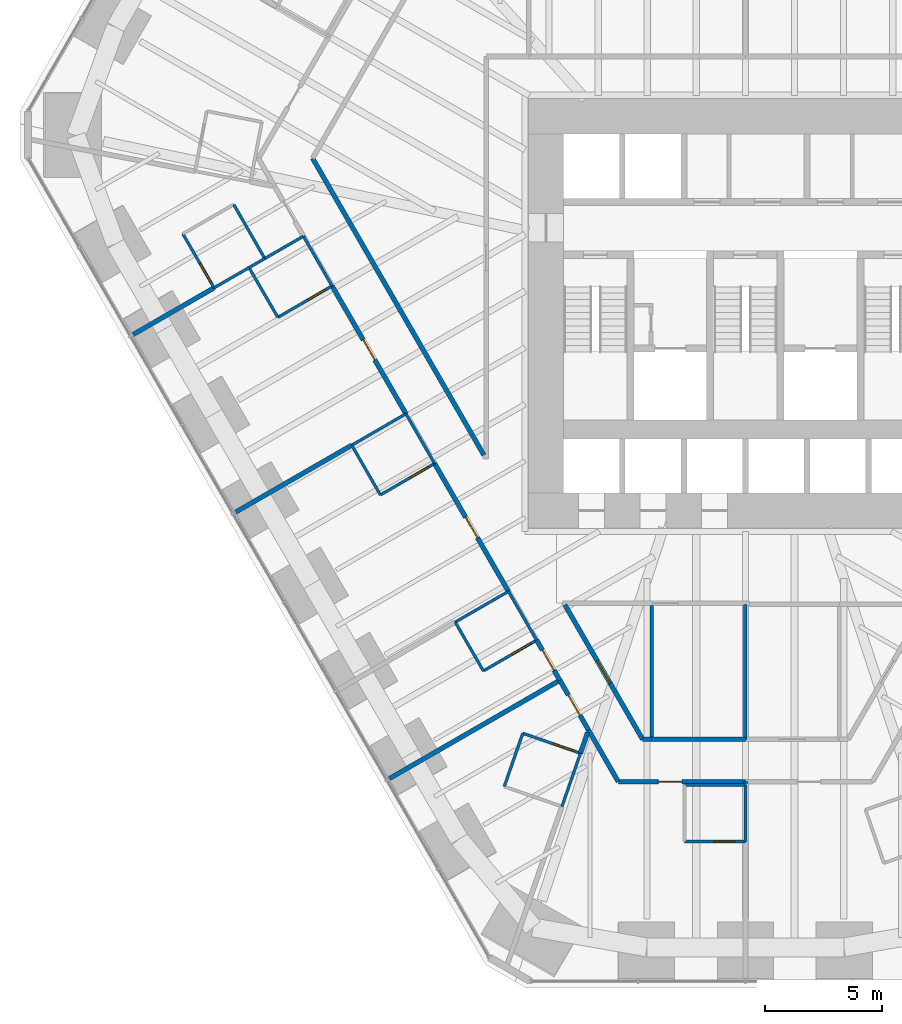
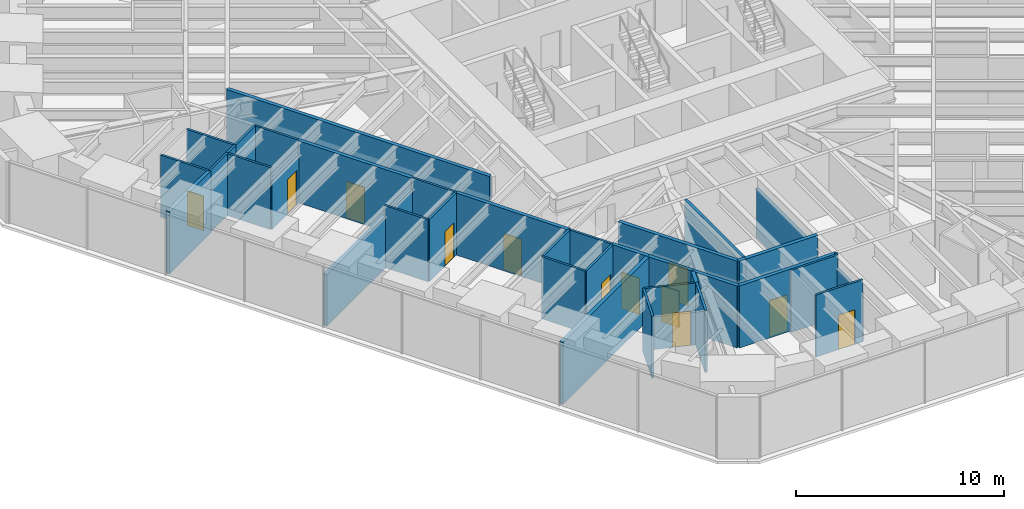
# One storey, part 11 of 17: 39 walls, 12 doors, 12 openings.
"""IFC4 building model written with IfcOpenShell, lengths in metres."""

from ifc_helpers import new_model, si_unit, direction, frame, frame_2d, origin, place, context, subcontext, project, spatial, rectangle, extrude, material, layer, layer_set, type_object, element, fill, save


model = new_model("IFC4")

# Units and contexts
model_context = context("Model", 3, precision=1e-05, world=origin(), true_north=direction((0.0, 1.0)))
body_context = subcontext(model_context, "Body", "Model", "MODEL_VIEW")
ifc_project = project(units=[si_unit("LENGTHUNIT", "METRE"), si_unit("AREAUNIT", "SQUARE_METRE"), si_unit("VOLUMEUNIT", "CUBIC_METRE"), si_unit("PLANEANGLEUNIT", "RADIAN"), si_unit("MASSUNIT", "GRAM", prefix="KILO")], contexts=[model_context])

# Site, building, storey
site_placement = place(None, origin())
site = spatial("IfcSite", under=ifc_project, at=site_placement, CompositionType="ELEMENT")
building_placement = place(site_placement, origin())
building = spatial("IfcBuilding", under=site, at=building_placement, Name="Sandreach Pilgrim Tower", CompositionType="ELEMENT")
storey_placement = place(building_placement, frame((0.0, 0.0, 57.199951171875)))
storey = spatial("IfcBuildingStorey", under=building, at=storey_placement, Name="L13", CompositionType="ELEMENT", Elevation=57.199951171875)

# Walls
ifc_material_1 = material(Name="Gypsum board on steel studs", Category="steel")
ifc_layer_1 = layer(ifc_material_1, 0.14990234375)
ifc_layer_set_1 = layer_set([ifc_layer_1], Name="Back of house wall 150")
wall_type_1 = type_object("IfcWallType", Name="Back of house wall 150", PredefinedType="PARTITIONING", material=ifc_layer_set_1)
wall_1_placement = place(storey_placement, frame((-4.0, -14.0, 0.0), z_axis=(0.0, 0.0, 1.0), x_axis=(0.0, -1.0, 0.0)))
element("IfcWall", 1, at=wall_1_placement, inside=storey, type_object=wall_type_1, Name="Back of house wall L13-067", PredefinedType="PARTITIONING", context=body_context, shape_type="SweptSolid", body=[
    extrude(rectangle(XDim=5.7099609375, YDim=0.14990234375, at=frame_2d((2.85498046875, 0.0))), origin(), (0.0, 0.0, 1.0), 3.64013671875),
])
wall_2_placement = place(storey_placement, frame((0.0, -13.949951171875, 0.0), z_axis=(0.0, 0.0, 1.0), x_axis=(0.0, -1.0, 0.0)))
element("IfcWall", 2, at=wall_2_placement, inside=storey, type_object=wall_type_1, Name="Back of house wall L13-078", PredefinedType="PARTITIONING", context=body_context, shape_type="SweptSolid", body=[
    extrude(rectangle(XDim=5.760009765625, YDim=0.14990234375, at=frame_2d((2.8798828125, 0.0))), origin(), (0.0, 0.0, 1.0), 2.8603515625),
])

# Wall, opening, door
ifc_material_2 = material(Name="Moisture-resistant gypsum board on steel studs", Category="steel")
ifc_layer_2 = layer(ifc_material_2, 0.1201171875)
ifc_layer_set_2 = layer_set([ifc_layer_2], Name="Bathroom partition 120")
wall_type_2 = type_object("IfcWallType", Name="Bathroom partition 120", PredefinedType="PARTITIONING", material=ifc_layer_set_2)
wall_3_placement = place(storey_placement, frame((-23.97998046875, 1.840087890625, 0.0), z_axis=(0.0, 0.0, 1.0), x_axis=(0.500605174168, -0.865675724273, 0.0)))
wall_3 = element("IfcWall", 3, at=wall_3_placement, inside=storey, type_object=wall_type_2, Name="Bathroom partition L13-004", PredefinedType="PARTITIONING", context=body_context, shape_type="SweptSolid", body=[
    extrude(rectangle(XDim=2.656982421875, YDim=0.1201171875, at=frame_2d((1.32861328125, 0.0))), origin(), (0.0, 0.0, 1.0), 3.64013671875),
])
opening_1_placement = place(wall_3_placement, frame((1.456787109375, 0.0, 0.0)))
opening_1 = element("IfcOpeningElement", 4, at=opening_1_placement, cuts=wall_3, Name="Opening D09-18B", PredefinedType="OPENING", context=body_context, shape_type="SweptSolid", body=[
    extrude(rectangle(XDim=0.89990234375, YDim=2.030029296875, at=frame_2d((0.449951171875, 1.01513671875))), frame((0.0, 0.06005859375, 0.0), z_axis=(0.0, -1.0, 0.0), x_axis=(1.0, 0.0, 0.0)), (0.0, 0.0, 1.0), 0.1201171875),
])
ifc_material_3 = material(Name="Timber door, steel frame", Category="steel")
door_type_1 = type_object("IfcDoorType", Name="Bathroom door", OperationType="SINGLE_SWING_LEFT", PredefinedType="DOOR", material=ifc_material_3)
door_1_placement = place(opening_1_placement, origin())
door_1 = element("IfcDoor", 5, at=door_1_placement, inside=storey, type_object=door_type_1, Name="Door 1318B", OperationType="SINGLE_SWING_RIGHT", OverallHeight=2.030029296875, OverallWidth=0.89990234375, PredefinedType="DOOR", context=body_context, shape_type="SweptSolid", body=[
    extrude(rectangle(XDim=0.89990234375, YDim=2.030029296875, at=frame_2d((0.449951171875, 1.01513671875))), frame((0.0, 0.02490234375, 0.0), z_axis=(0.0, -1.0, 0.0), x_axis=(1.0, 0.0, 0.0)), (0.0, 0.0, 1.0), 0.050048828125),
])
fill(opening_1, door_1)

# Walls
wall_4_placement = place(storey_placement, frame((-22.64990234375, -0.460205078125, 0.0), z_axis=(0.0, 0.0, 1.0), x_axis=(0.866060346521, 0.499939472521, 0.0)))
element("IfcWall", 6, at=wall_4_placement, inside=storey, type_object=wall_type_2, Name="Bathroom partition L13-007", PredefinedType="PARTITIONING", context=body_context, shape_type="SweptSolid", body=[
    extrude(rectangle(XDim=1.720458984375, YDim=0.1201171875, at=frame_2d((0.8603515625, 0.0))), origin(), (0.0, 0.0, 1.0), 3.64013671875),
])
wall_5_placement = place(storey_placement, frame((-21.159912109375, 0.39990234375, 0.0), z_axis=(0.0, 0.0, 1.0), x_axis=(0.865907519724, 0.500204125617, 0.0)))
element("IfcWall", 7, at=wall_5_placement, inside=storey, type_object=wall_type_2, Name="Bathroom partition L13-010", PredefinedType="PARTITIONING", context=body_context, shape_type="SweptSolid", body=[
    extrude(rectangle(XDim=0.775146484375, YDim=0.1201171875, at=frame_2d((0.3876953125, 0.0))), origin(), (0.0, 0.0, 1.0), 3.64013671875),
])
wall_6_placement = place(storey_placement, frame((-21.159912109375, 0.39990234375, 0.0), z_axis=(0.0, 0.0, 1.0), x_axis=(0.501856726365, -0.86495076519, 0.0)))
element("IfcWall", 8, at=wall_6_placement, inside=storey, type_object=wall_type_2, Name="Bathroom partition L13-011", PredefinedType="PARTITIONING", context=body_context, shape_type="SweptSolid", body=[
    extrude(rectangle(XDim=2.450927734375, YDim=0.1201171875, at=frame_2d((1.2255859375, 0.0))), origin(), (0.0, 0.0, 1.0), 3.64013671875),
])
wall_7_placement = place(storey_placement, frame((-20.489990234375, 0.7900390625, 0.0), z_axis=(0.0, 0.0, 1.0), x_axis=(-0.497773911185, 0.867306827682, 0.0)))
element("IfcWall", 9, at=wall_7_placement, inside=storey, type_object=wall_type_2, Name="Bathroom partition L13-017", PredefinedType="PARTITIONING", context=body_context, shape_type="SweptSolid", body=[
    extrude(rectangle(XDim=2.65185546875, YDim=0.1201171875, at=frame_2d((1.325927734375, 0.0))), origin(), (0.0, 0.0, 1.0), 3.64013671875),
])
wall_8_placement = place(storey_placement, frame((-20.48876953125, 0.78759765625, 0.0), z_axis=(0.0, 0.0, 1.0), x_axis=(0.865905802456, 0.500207098383, 0.0)))
element("IfcWall", 10, at=wall_8_placement, inside=storey, type_object=wall_type_2, Name="Bathroom partition L13-018", PredefinedType="PARTITIONING", context=body_context, shape_type="SweptSolid", body=[
    extrude(rectangle(XDim=1.904052734375, YDim=0.1201171875, at=frame_2d((0.9521484375, 0.0))), origin(), (0.0, 0.0, 1.0), 3.64013671875),
])

# Wall, opening, door
wall_9_placement = place(storey_placement, frame((-19.929931640625, -1.719970703125, 0.0), z_axis=(0.0, 0.0, 1.0), x_axis=(0.865006586495, 0.501760505939, 0.0)))
wall_9 = element("IfcWall", 11, at=wall_9_placement, inside=storey, type_object=wall_type_2, Name="Bathroom partition L13-022", PredefinedType="PARTITIONING", context=body_context, shape_type="SweptSolid", body=[
    extrude(rectangle(XDim=2.670166015625, YDim=0.1201171875, at=frame_2d((1.3349609375, 0.0))), origin(), (0.0, 0.0, 1.0), 2.8779296875),
])
opening_2_placement = place(wall_9_placement, frame((1.470458984375, 0.0, 0.0)))
opening_2 = element("IfcOpeningElement", 12, at=opening_2_placement, cuts=wall_9, Name="Opening D09-17B", PredefinedType="OPENING", context=body_context, shape_type="SweptSolid", body=[
    extrude(rectangle(XDim=0.89990234375, YDim=2.030029296875, at=frame_2d((0.449951171875, 1.01513671875))), frame((0.0, 0.06005859375, 0.0), z_axis=(0.0, -1.0, 0.0), x_axis=(1.0, 0.0, 0.0)), (0.0, 0.0, 1.0), 0.1201171875),
])
door_2_placement = place(opening_2_placement, origin())
door_2 = element("IfcDoor", 13, at=door_2_placement, inside=storey, type_object=door_type_1, Name="Door 1317B", OperationType="SINGLE_SWING_RIGHT", OverallHeight=2.030029296875, OverallWidth=0.89990234375, PredefinedType="DOOR", context=body_context, shape_type="SweptSolid", body=[
    extrude(rectangle(XDim=0.89990234375, YDim=2.030029296875, at=frame_2d((0.449951171875, 1.01513671875))), frame((0.0, 0.02490234375, 0.0), z_axis=(0.0, -1.0, 0.0), x_axis=(1.0, 0.0, 0.0)), (0.0, 0.0, 1.0), 0.050048828125),
])
fill(opening_2, door_2)

# Walls
for number, where, z_axis, x_axis, name in (
    (14, (-18.840087890625, 1.739990234375, 0.0), (0.0, 0.0, 1.0), (0.498555508765, -0.866857776501, 0.0), "Bathroom partition L13-023"),
    (15, (-16.780029296875, -7.169921875, 0.0), (0.0, 0.0, 1.0), (0.498748634132, -0.866746675766, 0.0), "Bathroom partition L13-031"),
):
    element("IfcWall", number, at=place(storey_placement, frame(where, z_axis=z_axis, x_axis=x_axis)), inside=storey, type_object=wall_type_2, Name=name, PredefinedType="PARTITIONING", context=body_context, shape_type="SweptSolid", body=[
        extrude(rectangle(XDim=2.446044921875, YDim=0.1201171875, at=frame_2d((1.22314453125, 0.0))), origin(), (0.0, 0.0, 1.0), 3.64013671875),
    ])
wall_10_placement = place(storey_placement, frame((-16.780029296875, -7.169921875, 0.0), z_axis=(0.0, 0.0, 1.0), x_axis=(0.865029602175, 0.501720826119, 0.0)))
element("IfcWall", 16, at=wall_10_placement, inside=storey, type_object=wall_type_2, Name="Bathroom partition L13-032", PredefinedType="PARTITIONING", context=body_context, shape_type="SweptSolid", body=[
    extrude(rectangle(XDim=2.67041015625, YDim=0.1201171875, at=frame_2d((1.335205078125, 0.0))), origin(), (0.0, 0.0, 1.0), 3.02294921875),
])

# Wall, opening, door
wall_11_placement = place(storey_placement, frame((-15.56005859375, -9.2900390625, 0.0), z_axis=(0.0, 0.0, 1.0), x_axis=(0.86498992408, 0.501789229896, 0.0)))
wall_11 = element("IfcWall", 17, at=wall_11_placement, inside=storey, type_object=wall_type_2, Name="Bathroom partition L13-034", PredefinedType="PARTITIONING", context=body_context, shape_type="SweptSolid", body=[
    extrude(rectangle(XDim=2.670654296875, YDim=0.1201171875, at=frame_2d((1.33544921875, 0.0))), origin(), (0.0, 0.0, 1.0), 3.64013671875),
])
opening_3_placement = place(wall_11_placement, frame((1.470458984375, 0.0, 0.0)))
opening_3 = element("IfcOpeningElement", 18, at=opening_3_placement, cuts=wall_11, Name="Opening D09-16B", PredefinedType="OPENING", context=body_context, shape_type="SweptSolid", body=[
    extrude(rectangle(XDim=0.89990234375, YDim=2.030029296875, at=frame_2d((0.449951171875, 1.01513671875))), frame((0.0, 0.06005859375, 0.0), z_axis=(0.0, -1.0, 0.0), x_axis=(1.0, 0.0, 0.0)), (0.0, 0.0, 1.0), 0.1201171875),
])
door_3_placement = place(opening_3_placement, origin())
door_3 = element("IfcDoor", 19, at=door_3_placement, inside=storey, type_object=door_type_1, Name="Door 1316B", OperationType="SINGLE_SWING_RIGHT", OverallHeight=2.030029296875, OverallWidth=0.89990234375, PredefinedType="DOOR", context=body_context, shape_type="SweptSolid", body=[
    extrude(rectangle(XDim=0.89990234375, YDim=2.030029296875, at=frame_2d((0.449951171875, 1.01513671875))), frame((0.0, 0.02490234375, 0.0), z_axis=(0.0, -1.0, 0.0), x_axis=(1.0, 0.0, 0.0)), (0.0, 0.0, 1.0), 0.050048828125),
])
fill(opening_3, door_3)

# Walls
wall_12_placement = place(storey_placement, frame((-14.469970703125, -5.830078125, 0.0), z_axis=(0.0, 0.0, 1.0), x_axis=(0.498673646582, -0.86678982124, 0.0)))
element("IfcWall", 20, at=wall_12_placement, inside=storey, type_object=wall_type_2, Name="Bathroom partition L13-036", PredefinedType="PARTITIONING", context=body_context, shape_type="SweptSolid", body=[
    extrude(rectangle(XDim=2.446044921875, YDim=0.1201171875, at=frame_2d((1.22314453125, 0.0))), origin(), (0.0, 0.0, 1.0), 3.64013671875),
])
wall_13_placement = place(storey_placement, frame((-12.3701171875, -14.7099609375, 0.0), z_axis=(0.0, 0.0, 1.0), x_axis=(0.499769390944, -0.866158505053, 0.0)))
element("IfcWall", 21, at=wall_13_placement, inside=storey, type_object=wall_type_2, Name="Bathroom partition L13-042", PredefinedType="PARTITIONING", context=body_context, shape_type="SweptSolid", body=[
    extrude(rectangle(XDim=2.401611328125, YDim=0.1201171875, at=frame_2d((1.20068359375, 0.0))), origin(), (0.0, 0.0, 1.0), 3.64013671875),
])
wall_14_placement = place(storey_placement, frame((-12.3701171875, -14.7099609375, 0.0), z_axis=(0.0, 0.0, 1.0), x_axis=(0.866114241029, 0.499846097802, 0.0)))
element("IfcWall", 22, at=wall_14_placement, inside=storey, type_object=wall_type_2, Name="Bathroom partition L13-043", PredefinedType="PARTITIONING", context=body_context, shape_type="SweptSolid", body=[
    extrude(rectangle(XDim=2.620849609375, YDim=0.1201171875, at=frame_2d((1.310546875, 0.0))), origin(), (0.0, 0.0, 1.0), 3.64013671875),
])

# Wall, opening, door
wall_15_placement = place(storey_placement, frame((-11.169921875, -16.7900390625, 0.0), z_axis=(0.0, 0.0, 1.0), x_axis=(0.866114241029, 0.499846097802, 0.0)))
wall_15 = element("IfcWall", 23, at=wall_15_placement, inside=storey, type_object=wall_type_2, Name="Bathroom partition L13-045", PredefinedType="PARTITIONING", context=body_context, shape_type="SweptSolid", body=[
    extrude(rectangle(XDim=2.620849609375, YDim=0.1201171875, at=frame_2d((1.310546875, 0.0))), origin(), (0.0, 0.0, 1.0), 3.64013671875),
])
opening_4_placement = place(wall_15_placement, frame((1.4208984375, 0.0, 0.0)))
opening_4 = element("IfcOpeningElement", 24, at=opening_4_placement, cuts=wall_15, Name="Opening D09-15B", PredefinedType="OPENING", context=body_context, shape_type="SweptSolid", body=[
    extrude(rectangle(XDim=0.89990234375, YDim=2.030029296875, at=frame_2d((0.449951171875, 1.01513671875))), frame((0.0, 0.06005859375, 0.0), z_axis=(0.0, -1.0, 0.0), x_axis=(1.0, 0.0, 0.0)), (0.0, 0.0, 1.0), 0.1201171875),
])
door_4_placement = place(opening_4_placement, origin())
door_4 = element("IfcDoor", 25, at=door_4_placement, inside=storey, type_object=door_type_1, Name="Door 1315B", OperationType="SINGLE_SWING_RIGHT", OverallHeight=2.030029296875, OverallWidth=0.89990234375, PredefinedType="DOOR", context=body_context, shape_type="SweptSolid", body=[
    extrude(rectangle(XDim=0.89990234375, YDim=2.030029296875, at=frame_2d((0.449951171875, 1.01513671875))), frame((0.0, 0.02490234375, 0.0), z_axis=(0.0, -1.0, 0.0), x_axis=(1.0, 0.0, 0.0)), (0.0, 0.0, 1.0), 0.050048828125),
])
fill(opening_4, door_4)

# Walls
wall_16_placement = place(storey_placement, frame((-10.10009765625, -13.39990234375, 0.0), z_axis=(0.0, 0.0, 1.0), x_axis=(0.499769390944, -0.866158505053, 0.0)))
element("IfcWall", 26, at=wall_16_placement, inside=storey, type_object=wall_type_2, Name="Bathroom partition L13-051", PredefinedType="PARTITIONING", context=body_context, shape_type="SweptSolid", body=[
    extrude(rectangle(XDim=2.401611328125, YDim=0.1201171875, at=frame_2d((1.20068359375, 0.0))), origin(), (0.0, 0.0, 1.0), 3.64013671875),
])
for number, where, z_axis, x_axis, name in (
    (27, (-9.489990234375, -19.449951171875, 0.0), (0.0, 0.0, 1.0), (-0.328693963496, -0.944436487203, 0.0), "Bathroom partition L13-052"),
    (28, (-7.820068359375, -22.570068359375, 0.0), (0.0, 0.0, 1.0), (0.328693963496, 0.944436487203, 0.0), "Bathroom partition L13-060"),
):
    element("IfcWall", number, at=place(storey_placement, frame(where, z_axis=z_axis, x_axis=x_axis)), inside=storey, type_object=wall_type_2, Name=name, PredefinedType="PARTITIONING", context=body_context, shape_type="SweptSolid", body=[
        extrude(rectangle(XDim=2.403564453125, YDim=0.1201171875, at=frame_2d((1.20166015625, 0.0))), origin(), (0.0, 0.0, 1.0), 3.64013671875),
    ])

# Wall, opening, door
wall_17_placement = place(storey_placement, frame((-7.030029296875, -20.300048828125, 0.0), z_axis=(0.0, 0.0, 1.0), x_axis=(-0.94515546045, 0.326620813149, 0.0)))
wall_17 = element("IfcWall", 29, at=wall_17_placement, inside=storey, type_object=wall_type_2, Name="Bathroom partition L13-061", PredefinedType="PARTITIONING", context=body_context, shape_type="SweptSolid", body=[
    extrude(rectangle(XDim=2.602783203125, YDim=0.1201171875, at=frame_2d((1.30126953125, 0.0))), origin(), (0.0, 0.0, 1.0), 3.64013671875),
])
opening_5_placement = place(wall_17_placement, frame((0.300048828125, 0.0, 0.0)))
opening_5 = element("IfcOpeningElement", 30, at=opening_5_placement, cuts=wall_17, Name="Opening D09-14B", PredefinedType="OPENING", context=body_context, shape_type="SweptSolid", body=[
    extrude(rectangle(XDim=0.89990234375, YDim=2.030029296875, at=frame_2d((0.449951171875, 1.01513671875))), frame((0.0, 0.06005859375, 0.0), z_axis=(0.0, -1.0, 0.0), x_axis=(1.0, 0.0, 0.0)), (0.0, 0.0, 1.0), 0.1201171875),
])
door_5_placement = place(opening_5_placement, origin())
door_5 = element("IfcDoor", 31, at=door_5_placement, inside=storey, type_object=door_type_1, Name="Door 1314B", OperationType="SINGLE_SWING_LEFT", OverallHeight=2.030029296875, OverallWidth=0.89990234375, PredefinedType="DOOR", context=body_context, shape_type="SweptSolid", body=[
    extrude(rectangle(XDim=0.89990234375, YDim=2.030029296875, at=frame_2d((0.449951171875, 1.01513671875))), frame((0.0, 0.02490234375, 0.0), z_axis=(0.0, -1.0, 0.0), x_axis=(1.0, 0.0, 0.0)), (0.0, 0.0, 1.0), 0.050048828125),
])
fill(opening_5, door_5)

wall_18_placement = place(storey_placement, frame((-2.60009765625, -24.06005859375, 0.0), z_axis=(0.0, 0.0, 1.0), x_axis=(1.0, 0.0, 0.0)))
wall_18 = element("IfcWall", 32, at=wall_18_placement, inside=storey, type_object=wall_type_2, Name="Bathroom partition L13-068", PredefinedType="PARTITIONING", context=body_context, shape_type="SweptSolid", body=[
    extrude(rectangle(XDim=2.60009765625, YDim=0.1201171875, at=frame_2d((1.300048828125, 0.0))), origin(), (0.0, 0.0, 1.0), 3.64013671875),
])
opening_6_placement = place(wall_18_placement, frame((1.25, 0.0, 0.0)))
opening_6 = element("IfcOpeningElement", 33, at=opening_6_placement, cuts=wall_18, Name="Opening D09-13B", PredefinedType="OPENING", context=body_context, shape_type="SweptSolid", body=[
    extrude(rectangle(XDim=0.89990234375, YDim=2.030029296875, at=frame_2d((0.449951171875, 1.01513671875))), frame((0.0, 0.06005859375, 0.0), z_axis=(0.0, -1.0, 0.0), x_axis=(1.0, 0.0, 0.0)), (0.0, 0.0, 1.0), 0.1201171875),
])
door_6_placement = place(opening_6_placement, origin())
door_6 = element("IfcDoor", 34, at=door_6_placement, inside=storey, type_object=door_type_1, Name="Door 1313B", OperationType="SINGLE_SWING_RIGHT", OverallHeight=2.030029296875, OverallWidth=0.89990234375, PredefinedType="DOOR", context=body_context, shape_type="SweptSolid", body=[
    extrude(rectangle(XDim=0.89990234375, YDim=2.030029296875, at=frame_2d((0.449951171875, 1.01513671875))), frame((0.0, 0.02490234375, 0.0), z_axis=(0.0, -1.0, 0.0), x_axis=(1.0, 0.0, 0.0)), (0.0, 0.0, 1.0), 0.050048828125),
])
fill(opening_6, door_6)

# Walls
wall_19_placement = place(storey_placement, frame((0.0, -24.06005859375, 0.0), z_axis=(0.0, 0.0, 1.0), x_axis=(0.0, 1.0, 0.0)))
element("IfcWall", 35, at=wall_19_placement, inside=storey, type_object=wall_type_2, Name="Bathroom partition L13-073", PredefinedType="PARTITIONING", context=body_context, shape_type="SweptSolid", body=[
    extrude(rectangle(XDim=2.400146484375, YDim=0.1201171875, at=frame_2d((1.2001953125, 0.0))), origin(), (0.0, 0.0, 1.0), 2.8603515625),
])
wall_20_placement = place(storey_placement, frame((0.0, -21.659912109375, 0.0), z_axis=(0.0, 0.0, 1.0), x_axis=(-1.0, 0.0, 0.0)))
element("IfcWall", 36, at=wall_20_placement, inside=storey, type_object=wall_type_2, Name="Bathroom partition L13-074", PredefinedType="PARTITIONING", context=body_context, shape_type="SweptSolid", body=[
    extrude(rectangle(XDim=2.60009765625, YDim=0.1201171875, at=frame_2d((1.300048828125, 0.0))), origin(), (0.0, 0.0, 1.0), 3.64013671875),
])

# Wall, opening, door
ifc_material_4 = material(Name="Gypsum board on steel studs, two layers each side", Category="steel")
ifc_layer_3 = layer(ifc_material_4, 0.199951171875)
ifc_layer_set_3 = layer_set([ifc_layer_3], Name="Corridor wall 200")
wall_type_3 = type_object("IfcWallType", Name="Corridor wall 200", PredefinedType="PARTITIONING", material=ifc_layer_set_3)
wall_21_placement = place(storey_placement, frame((-17.62060546875, -0.38037109375, 0.0), z_axis=(0.0, 0.0, 1.0), x_axis=(0.500505674396, -0.865733255627, 0.0)))
wall_21 = element("IfcWall", 37, at=wall_21_placement, inside=storey, type_object=wall_type_3, Name="Corridor wall L13-029", PredefinedType="PARTITIONING", context=body_context, shape_type="SweptSolid", body=[
    extrude(rectangle(XDim=6.294921875, YDim=0.199951171875, at=frame_2d((3.1474609375, 0.0))), origin(), (0.0, 0.0, 1.0), 3.64013671875),
])
opening_7_placement = place(wall_21_placement, frame((2.6474609375, 0.0, 0.0)))
opening_7 = element("IfcOpeningElement", 38, at=opening_7_placement, cuts=wall_21, Name="Opening D10-17", PredefinedType="OPENING", context=body_context, shape_type="SweptSolid", body=[
    extrude(rectangle(XDim=1.0, YDim=2.1298828125, at=frame_2d((0.5, 1.06494140625))), frame((0.0, 0.10009765625, 0.0), z_axis=(0.0, -1.0, 0.0), x_axis=(1.0, 0.0, 0.0)), (0.0, 0.0, 1.0), 0.199951171875),
])
ifc_material_5 = material(Name="Steel door and frame", Category="steel")
door_type_2 = type_object("IfcDoorType", Name="Guest room entry door", OperationType="SINGLE_SWING_LEFT", PredefinedType="DOOR", material=ifc_material_5)
door_7_placement = place(opening_7_placement, origin())
door_7 = element("IfcDoor", 39, at=door_7_placement, inside=storey, type_object=door_type_2, Name="Door 1317", OperationType="SINGLE_SWING_LEFT", OverallHeight=2.1298828125, OverallWidth=1.0, PredefinedType="DOOR", context=body_context, shape_type="SweptSolid", body=[
    extrude(rectangle(XDim=1.0, YDim=2.1298828125, at=frame_2d((0.5, 1.06494140625))), frame((0.0, 0.02490234375, 0.0), z_axis=(0.0, -1.0, 0.0), x_axis=(1.0, 0.0, 0.0)), (0.0, 0.0, 1.0), 0.050048828125),
])
fill(opening_7, door_7)

wall_22_placement = place(storey_placement, frame((-13.250244140625, -7.9501953125, 0.0), z_axis=(0.0, 0.0, 1.0), x_axis=(0.500447534468, -0.865766865412, 0.0)))
wall_22 = element("IfcWall", 40, at=wall_22_placement, inside=storey, type_object=wall_type_3, Name="Corridor wall L13-039", PredefinedType="PARTITIONING", context=body_context, shape_type="SweptSolid", body=[
    extrude(rectangle(XDim=6.294677734375, YDim=0.199951171875, at=frame_2d((3.1474609375, 0.0))), origin(), (0.0, 0.0, 1.0), 3.64013671875),
])
opening_8_placement = place(wall_22_placement, frame((2.6474609375, 0.0, 0.0)))
opening_8 = element("IfcOpeningElement", 41, at=opening_8_placement, cuts=wall_22, Name="Opening D10-16", PredefinedType="OPENING", context=body_context, shape_type="SweptSolid", body=[
    extrude(rectangle(XDim=1.0, YDim=2.1298828125, at=frame_2d((0.5, 1.06494140625))), frame((0.0, 0.10009765625, 0.0), z_axis=(0.0, -1.0, 0.0), x_axis=(1.0, 0.0, 0.0)), (0.0, 0.0, 1.0), 0.199951171875),
])
door_8_placement = place(opening_8_placement, origin())
door_8 = element("IfcDoor", 42, at=door_8_placement, inside=storey, type_object=door_type_2, Name="Door 1316", OperationType="SINGLE_SWING_LEFT", OverallHeight=2.1298828125, OverallWidth=1.0, PredefinedType="DOOR", context=body_context, shape_type="SweptSolid", body=[
    extrude(rectangle(XDim=1.0, YDim=2.1298828125, at=frame_2d((0.5, 1.06494140625))), frame((0.0, 0.02490234375, 0.0), z_axis=(0.0, -1.0, 0.0), x_axis=(1.0, 0.0, 0.0)), (0.0, 0.0, 1.0), 0.050048828125),
])
fill(opening_8, door_8)

# Wall
wall_23_placement = place(storey_placement, frame((-11.1474609375, -7.591064453125, 0.0), z_axis=(0.0, 0.0, 1.0), x_axis=(-0.499915842114, 0.866073986911, 0.0)))
element("IfcWall", 43, at=wall_23_placement, inside=storey, type_object=wall_type_3, Name="Corridor wall L13-046", PredefinedType="PARTITIONING", context=body_context, shape_type="SweptSolid", body=[
    extrude(rectangle(XDim=14.607421875, YDim=0.199951171875, at=frame_2d((7.3037109375, 0.0))), origin(), (0.0, 0.0, 1.0), 3.64013671875),
])

# Wall, opening, door
wall_24_placement = place(storey_placement, frame((-8.89990234375, -15.47998046875, 0.0), z_axis=(0.0, 0.0, 1.0), x_axis=(0.501041141208, -0.865423465603, 0.0)))
wall_24 = element("IfcWall", 44, at=wall_24_placement, inside=storey, type_object=wall_type_3, Name="Corridor wall L13-058", PredefinedType="PARTITIONING", context=body_context, shape_type="SweptSolid", body=[
    extrude(rectangle(XDim=1.975830078125, YDim=0.199951171875, at=frame_2d((0.98779296875, 0.0))), origin(), (0.0, 0.0, 1.0), 3.64013671875),
])
opening_9_placement = place(wall_24_placement, frame((0.488037109375, 0.0, 0.0)))
opening_9 = element("IfcOpeningElement", 45, at=opening_9_placement, cuts=wall_24, Name="Opening D10-15", PredefinedType="OPENING", context=body_context, shape_type="SweptSolid", body=[
    extrude(rectangle(XDim=1.0, YDim=2.1298828125, at=frame_2d((0.5, 1.06494140625))), frame((0.0, 0.10009765625, 0.0), z_axis=(0.0, -1.0, 0.0), x_axis=(1.0, 0.0, 0.0)), (0.0, 0.0, 1.0), 0.199951171875),
])
door_9_placement = place(opening_9_placement, origin())
door_9 = element("IfcDoor", 46, at=door_9_placement, inside=storey, type_object=door_type_2, Name="Door 1315", OperationType="SINGLE_SWING_LEFT", OverallHeight=2.1298828125, OverallWidth=1.0, PredefinedType="DOOR", context=body_context, shape_type="SweptSolid", body=[
    extrude(rectangle(XDim=1.0, YDim=2.1298828125, at=frame_2d((0.5, 1.06494140625))), frame((0.0, 0.02490234375, 0.0), z_axis=(0.0, -1.0, 0.0), x_axis=(1.0, 0.0, 0.0)), (0.0, 0.0, 1.0), 0.050048828125),
])
fill(opening_9, door_9)

wall_25_placement = place(storey_placement, frame((-7.909912109375, -17.18994140625, 0.0), z_axis=(0.0, 0.0, 1.0), x_axis=(0.498748634132, -0.866746675766, 0.0)))
wall_25 = element("IfcWall", 47, at=wall_25_placement, inside=storey, type_object=wall_type_3, Name="Corridor wall L13-059", PredefinedType="PARTITIONING", context=body_context, shape_type="SweptSolid", body=[
    extrude(rectangle(XDim=2.446044921875, YDim=0.199951171875, at=frame_2d((1.22314453125, 0.0))), origin(), (0.0, 0.0, 1.0), 3.64013671875),
])
opening_10_placement = place(wall_25_placement, frame((0.722900390625, 0.0, 0.0)))
opening_10 = element("IfcOpeningElement", 48, at=opening_10_placement, cuts=wall_25, Name="Opening D10-14", PredefinedType="OPENING", context=body_context, shape_type="SweptSolid", body=[
    extrude(rectangle(XDim=1.0, YDim=2.1298828125, at=frame_2d((0.5, 1.06494140625))), frame((0.0, 0.10009765625, 0.0), z_axis=(0.0, -1.0, 0.0), x_axis=(1.0, 0.0, 0.0)), (0.0, 0.0, 1.0), 0.199951171875),
])
door_10_placement = place(opening_10_placement, origin())
door_10 = element("IfcDoor", 49, at=door_10_placement, inside=storey, type_object=door_type_2, Name="Door 1314", OperationType="SINGLE_SWING_LEFT", OverallHeight=2.1298828125, OverallWidth=1.0, PredefinedType="DOOR", context=body_context, shape_type="SweptSolid", body=[
    extrude(rectangle(XDim=1.0, YDim=2.1298828125, at=frame_2d((0.5, 1.06494140625))), frame((0.0, 0.02490234375, 0.0), z_axis=(0.0, -1.0, 0.0), x_axis=(1.0, 0.0, 0.0)), (0.0, 0.0, 1.0), 0.050048828125),
])
fill(opening_10, door_10)

# Wall
wall_26_placement = place(storey_placement, frame((-6.68994140625, -19.31005859375, 0.0), z_axis=(0.0, 0.0, 1.0), x_axis=(0.499963722229, -0.866046347752, 0.0)))
element("IfcWall", 50, at=wall_26_placement, inside=storey, type_object=wall_type_3, Name="Corridor wall L13-063", PredefinedType="PARTITIONING", context=body_context, shape_type="SweptSolid", body=[
    extrude(rectangle(XDim=2.540283203125, YDim=0.199951171875, at=frame_2d((1.27001953125, 0.0))), origin(), (0.0, 0.0, 1.0), 3.64013671875),
])

# Wall, opening, door
wall_27_placement = place(storey_placement, frame((-5.419921875, -21.510009765625, 0.0), z_axis=(0.0, 0.0, 1.0), x_axis=(1.0, 0.0, 0.0)))
wall_27 = element("IfcWall", 51, at=wall_27_placement, inside=storey, type_object=wall_type_3, Name="Corridor wall L13-064", PredefinedType="PARTITIONING", context=body_context, shape_type="SweptSolid", body=[
    extrude(rectangle(XDim=5.419921875, YDim=0.199951171875, at=frame_2d((2.7099609375, 0.0))), origin(), (0.0, 0.0, 1.0), 3.64013671875),
])
opening_11_placement = place(wall_27_placement, frame((1.7099609375, 0.0, 0.0)))
opening_11 = element("IfcOpeningElement", 52, at=opening_11_placement, cuts=wall_27, Name="Opening D10-13", PredefinedType="OPENING", context=body_context, shape_type="SweptSolid", body=[
    extrude(rectangle(XDim=1.0, YDim=2.1298828125, at=frame_2d((0.5, 1.06494140625))), frame((0.0, 0.10009765625, 0.0), z_axis=(0.0, -1.0, 0.0), x_axis=(1.0, 0.0, 0.0)), (0.0, 0.0, 1.0), 0.199951171875),
])
door_11_placement = place(opening_11_placement, origin())
door_11 = element("IfcDoor", 53, at=door_11_placement, inside=storey, type_object=door_type_2, Name="Door 1313", OperationType="SINGLE_SWING_LEFT", OverallHeight=2.1298828125, OverallWidth=1.0, PredefinedType="DOOR", context=body_context, shape_type="SweptSolid", body=[
    extrude(rectangle(XDim=1.0, YDim=2.1298828125, at=frame_2d((0.5, 1.06494140625))), frame((0.0, 0.02490234375, 0.0), z_axis=(0.0, -1.0, 0.0), x_axis=(1.0, 0.0, 0.0)), (0.0, 0.0, 1.0), 0.050048828125),
])
fill(opening_11, door_11)

wall_28_placement = place(storey_placement, frame((-4.3798828125, -19.7099609375, 0.0), z_axis=(0.0, 0.0, 1.0), x_axis=(-0.500523653757, 0.865722860984, 0.0)))
wall_28 = element("IfcWall", 54, at=wall_28_placement, inside=storey, type_object=wall_type_3, Name="Corridor wall L13-065", PredefinedType="PARTITIONING", context=body_context, shape_type="SweptSolid", body=[
    extrude(rectangle(XDim=6.62841796875, YDim=0.199951171875, at=frame_2d((3.314208984375, 0.0))), origin(), (0.0, 0.0, 1.0), 3.64013671875),
])
opening_12_placement = place(wall_28_placement, frame((2.76416015625, 0.0, 0.0)))
opening_12 = element("IfcOpeningElement", 55, at=opening_12_placement, cuts=wall_28, Name="Opening D11H-S1", PredefinedType="OPENING", context=body_context, shape_type="SweptSolid", body=[
    extrude(rectangle(XDim=1.10009765625, YDim=2.199951171875, at=frame_2d((0.550048828125, 1.10009765625))), frame((0.0, 0.10009765625, 0.0), z_axis=(0.0, -1.0, 0.0), x_axis=(1.0, 0.0, 0.0)), (0.0, 0.0, 1.0), 0.199951171875),
])
ifc_material_6 = material(Name="Steel door and frame", Category="steel")
door_type_3 = type_object("IfcDoorType", Name="Back of house door", OperationType="SINGLE_SWING_LEFT", PredefinedType="DOOR", material=ifc_material_6)
door_12_placement = place(opening_12_placement, origin())
door_12 = element("IfcDoor", 56, at=door_12_placement, inside=storey, type_object=door_type_3, Name="Door 13S1", OperationType="SINGLE_SWING_LEFT", OverallHeight=2.199951171875, OverallWidth=1.10009765625, PredefinedType="DOOR", context=body_context, shape_type="SweptSolid", body=[
    extrude(rectangle(XDim=1.10009765625, YDim=2.199951171875, at=frame_2d((0.550048828125, 1.10009765625))), frame((0.0, 0.02490234375, 0.0), z_axis=(0.0, -1.0, 0.0), x_axis=(1.0, 0.0, 0.0)), (0.0, 0.0, 1.0), 0.050048828125),
])
fill(opening_12, door_12)

# Walls
wall_29_placement = place(storey_placement, frame((-4.0, -19.7099609375, 0.0), z_axis=(0.0, 0.0, 1.0), x_axis=(-1.0, 0.0, 0.0)))
element("IfcWall", 57, at=wall_29_placement, inside=storey, type_object=wall_type_3, Name="Corridor wall L13-066", PredefinedType="PARTITIONING", context=body_context, shape_type="SweptSolid", body=[
    extrude(rectangle(XDim=0.3798828125, YDim=0.199951171875, at=frame_2d((0.18994140625, 0.0))), origin(), (0.0, 0.0, 1.0), 3.64013671875),
])
wall_30_placement = place(storey_placement, frame((0.0, -19.7099609375, 0.0), z_axis=(0.0, 0.0, 1.0), x_axis=(-1.0, 0.0, 0.0)))
element("IfcWall", 58, at=wall_30_placement, inside=storey, type_object=wall_type_3, Name="Corridor wall L13-077", PredefinedType="PARTITIONING", context=body_context, shape_type="SweptSolid", body=[
    extrude(rectangle(XDim=4.0, YDim=0.199951171875, at=frame_2d((2.0, 0.0))), origin(), (0.0, 0.0, 1.0), 3.64013671875),
])
ifc_material_7 = material(Name="Double steel stud acoustic wall, gypsum board", Category="steel")
ifc_layer_4 = layer(ifc_material_7, 0.199951171875)
ifc_layer_set_4 = layer_set([ifc_layer_4], Name="Party wall 200")
wall_type_4 = type_object("IfcWallType", Name="Party wall 200", PredefinedType="PARTITIONING", material=ifc_layer_set_4)
wall_31_placement = place(storey_placement, frame((-26.09619140625, -2.449951171875, 0.0), z_axis=(0.0, 0.0, 1.0), x_axis=(0.866022120267, 0.500005687176, 0.0)))
element("IfcWall", 59, at=wall_31_placement, inside=storey, type_object=wall_type_4, Name="Party wall L13-002", PredefinedType="PARTITIONING", context=body_context, shape_type="SweptSolid", body=[
    extrude(rectangle(XDim=3.9794921875, YDim=0.199951171875, at=frame_2d((1.98974609375, 0.0))), origin(), (0.0, 0.0, 1.0), 3.64013671875),
])
wall_32_placement = place(storey_placement, frame((-21.72607421875, -10.02001953125, 0.0), z_axis=(0.0, 0.0, 1.0), x_axis=(0.866442508333, 0.499276856818, 0.0)))
element("IfcWall", 60, at=wall_32_placement, inside=storey, type_object=wall_type_4, Name="Party wall L13-009", PredefinedType="PARTITIONING", context=body_context, shape_type="SweptSolid", body=[
    extrude(rectangle(XDim=5.70849609375, YDim=0.199951171875, at=frame_2d((2.854248046875, 0.0))), origin(), (0.0, 0.0, 1.0), 3.02294921875),
])
wall_33_placement = place(storey_placement, frame((-15.176025390625, -21.380126953125, 0.0), z_axis=(0.0, 0.0, 1.0), x_axis=(0.866276837306, 0.49956425127, 0.0)))
element("IfcWall", 61, at=wall_33_placement, inside=storey, type_object=wall_type_4, Name="Party wall L13-035", PredefinedType="PARTITIONING", context=body_context, shape_type="SweptSolid", body=[
    extrude(rectangle(XDim=8.37255859375, YDim=0.199951171875, at=frame_2d((4.186279296875, 0.0))), origin(), (0.0, 0.0, 1.0), 3.64013671875),
])
wall_34_placement = place(storey_placement, frame((-7.030029296875, -20.300048828125, 0.0), z_axis=(0.0, 0.0, 1.0), x_axis=(0.324737408014, 0.94580421644, 0.0)))
element("IfcWall", 62, at=wall_34_placement, inside=storey, type_object=wall_type_4, Name="Party wall L13-062", PredefinedType="PARTITIONING", context=body_context, shape_type="SweptSolid", body=[
    extrude(rectangle(XDim=0.936767578125, YDim=0.199951171875, at=frame_2d((0.46826171875, 0.0))), origin(), (0.0, 0.0, 1.0), 3.64013671875),
])
wall_35_placement = place(storey_placement, frame((0.0, -21.60009765625, 0.0), z_axis=(0.0, 0.0, 1.0), x_axis=(0.0, 1.0, 0.0)))
element("IfcWall", 63, at=wall_35_placement, inside=storey, type_object=wall_type_4, Name="Party wall L13-075", PredefinedType="PARTITIONING", context=body_context, shape_type="SweptSolid", body=[
    extrude(rectangle(XDim=0.090087890625, YDim=0.199951171875, at=frame_2d((0.044921875, 0.0))), origin(), (0.0, 0.0, 1.0), 3.64013671875),
])

save(model, "model.ifc")
